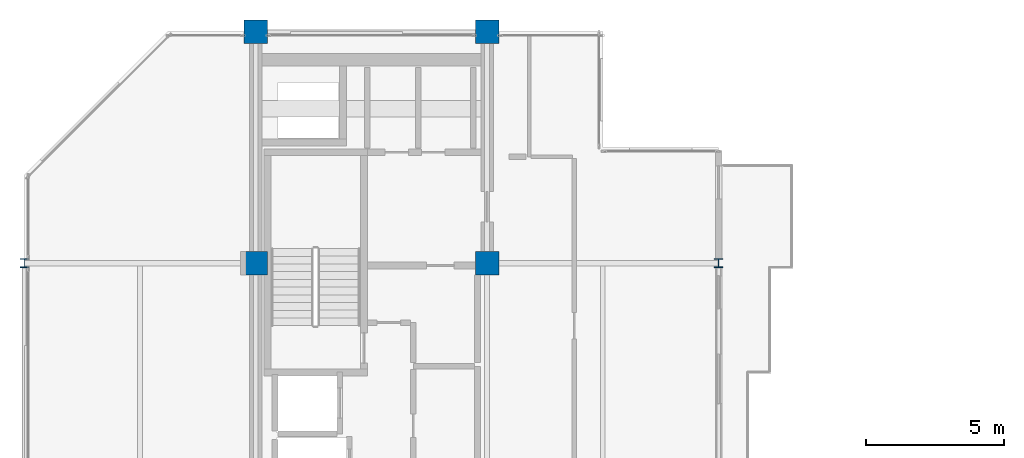
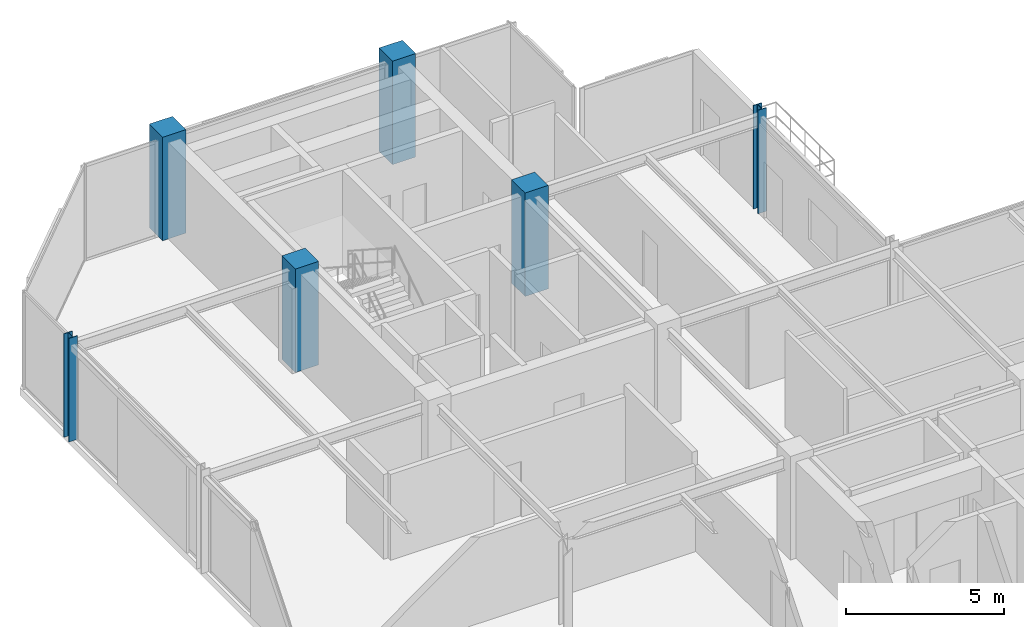
# One storey, part 2 of 26: 6 columns.
"""IFC4 building model written with IfcOpenShell, lengths in metres."""

from ifc_helpers import new_model, si_unit, direction, frame, origin, origin_2d, place, context, subcontext, project, spatial, rectangle, i_section, extrude, material, material_profile, profile_set, type_object, element, save


model = new_model("IFC4")

# Units and contexts
model_context = context("Model", 3, precision=1e-05, world=origin(), true_north=direction((0.0, 1.0)))
body_context = subcontext(model_context, "Body", "Model", "MODEL_VIEW")
ifc_project = project(units=[si_unit("LENGTHUNIT", "METRE"), si_unit("AREAUNIT", "SQUARE_METRE"), si_unit("VOLUMEUNIT", "CUBIC_METRE"), si_unit("PLANEANGLEUNIT", "RADIAN"), si_unit("MASSUNIT", "GRAM", prefix="KILO")], contexts=[model_context])

# Site, building, storey
site_placement = place(None, origin())
site = spatial("IfcSite", under=ifc_project, at=site_placement, CompositionType="ELEMENT")
building_placement = place(site_placement, origin())
building = spatial("IfcBuilding", under=site, at=building_placement, Name="Nerrivon Quay Data Exchange", CompositionType="ELEMENT")
storey_placement = place(building_placement, frame((0.0, 0.0, 258.199951171875)))
storey = spatial("IfcBuildingStorey", under=building, at=storey_placement, Name="L61", CompositionType="ELEMENT", Elevation=258.199951171875)

# Columns
ifc_material_1 = material(Name="Concrete N50 (50 MPa)", Category="concrete")
ifc_material_profile_1 = material_profile(ifc_material_1, rectangle(XDim=0.85009765625, YDim=0.85009765625, at=origin_2d()), Name="RC-COL-850x850")
ifc_profile_set_1 = profile_set([ifc_material_profile_1], Name="Concrete N50 (50 MPa)")
column_type_1 = type_object("IfcColumnType", Name="COL-C5-850", PredefinedType="COLUMN", material=ifc_profile_set_1)
for number, where, z_axis, x_axis, name in (
    (1, (8.39990234375, 33.60009765625, 0.0), (0.0, 0.0, 1.0), (1.0, 0.0, 0.0), "L61 Column (8.4,33.6)"),
    (2, (8.39990234375, 42.0, 0.0), (0.0, 0.0, 1.0), (1.0, 0.0, 0.0), "L61 Column (8.4,42.0)"),
    (3, (16.800048828125, 33.60009765625, 0.0), (0.0, 0.0, 1.0), (1.0, 0.0, 0.0), "L61 Column (16.8,33.6)"),
    (4, (16.800048828125, 42.0, 0.0), (0.0, 0.0, 1.0), (1.0, 0.0, 0.0), "L61 Column (16.8,42.0)"),
):
    element("IfcColumn", number, at=place(storey_placement, frame(where, z_axis=z_axis, x_axis=x_axis)), inside=storey, type_object=column_type_1, Name=name, PredefinedType="COLUMN", context=body_context, shape_type="SweptSolid", body=[
        extrude(rectangle(XDim=0.85009765625, YDim=0.85009765625, at=origin_2d()), origin(), (0.0, 0.0, 1.0), 4.0),
    ])
ifc_material_2 = material(Name="Steel Grade 350", Category="steel")
ifc_material_profile_2 = material_profile(ifc_material_2, i_section(OverallWidth=0.31103515625, OverallDepth=0.326904296875, WebThickness=0.015625, FlangeThickness=0.02490234375, FilletRadius=0.0166015625, at=origin_2d()), Name="310UC158")
ifc_profile_set_2 = profile_set([ifc_material_profile_2], Name="Steel Grade 350")
column_type_2 = type_object("IfcColumnType", Name="COL-SC4-310UC158", PredefinedType="COLUMN", material=ifc_profile_set_2)
for number, where, z_axis, x_axis, name in (
    (5, (0.0, 33.60009765625, 0.0), (0.0, 0.0, 1.0), (1.0, 0.0, 0.0), "L61 Column (0.0,33.6)"),
    (6, (25.199951171875, 33.60009765625, 0.0), (0.0, 0.0, 1.0), (1.0, 0.0, 0.0), "L61 Column (25.2,33.6)"),
):
    element("IfcColumn", number, at=place(storey_placement, frame(where, z_axis=z_axis, x_axis=x_axis)), inside=storey, type_object=column_type_2, Name=name, PredefinedType="COLUMN", context=body_context, shape_type="SweptSolid", body=[
        extrude(i_section(OverallWidth=0.31103515625, OverallDepth=0.326904296875, WebThickness=0.015625, FlangeThickness=0.02490234375, FilletRadius=0.0166015625, at=origin_2d()), origin(), (0.0, 0.0, 1.0), 4.0),
    ])

save(model, "model.ifc")
